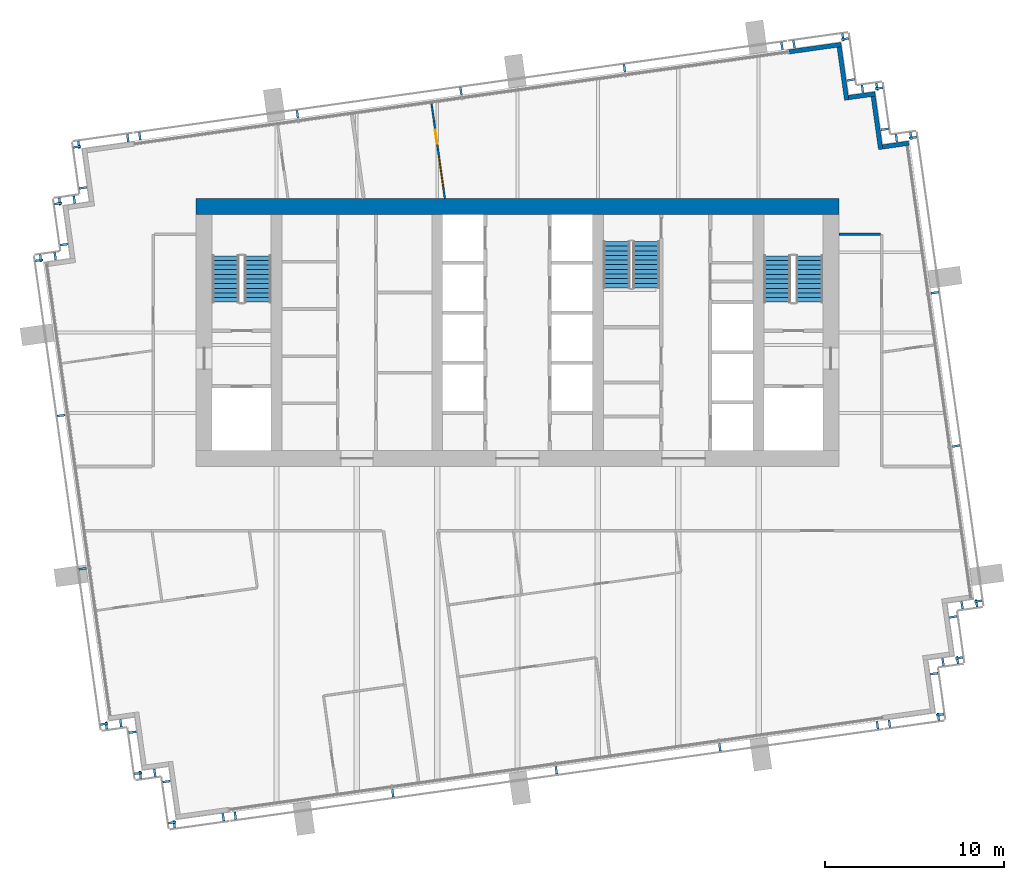
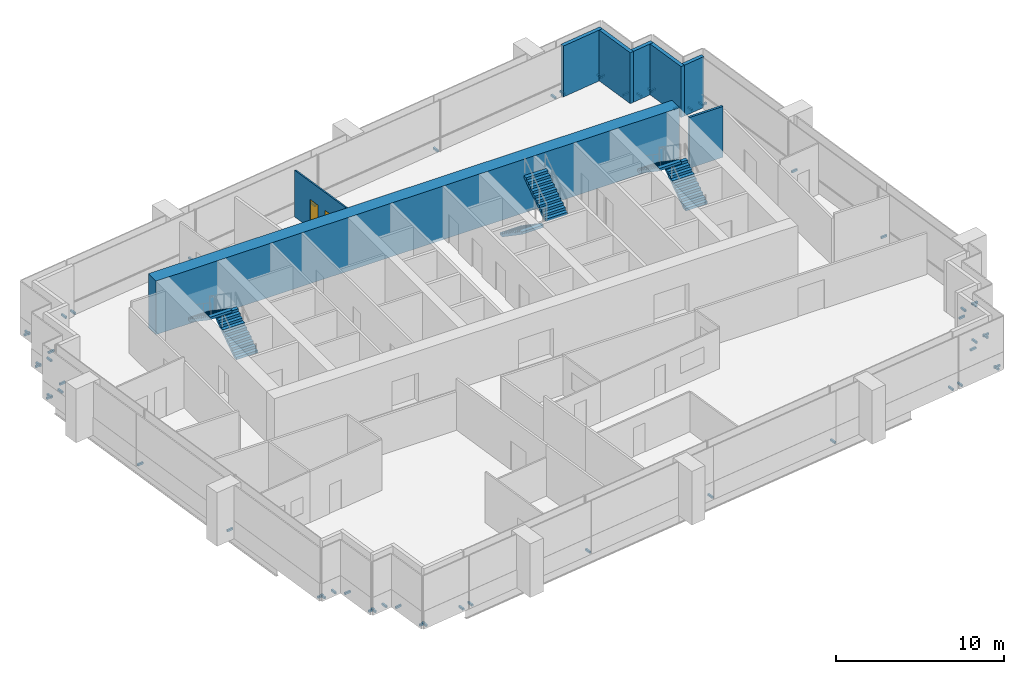
# One storey, part 11 of 15: 58 discrete accessories, 8 walls, 6 stair flights, 1 door, 1 window, 2 openings, 3 elements without a shape of their own.
"""IFC4 building model written with IfcOpenShell, lengths in metres."""

import ifcopenshell
import ifcopenshell.guid

model = None  # the IFC model being written
_history = None  # IfcOwnerHistory: only IFC2X3 demands one
_inside = {}  # id of a spatial element -> (the spatial element, [elements in it])
_under = {}  # id of a project, library or spatial element -> (it, [spatial elements below it])
_declared = {}  # id of a project -> (the project, [libraries it declares])
_typed = {}  # id of a type object -> (the type object, [elements of that type])
_made_of = {}  # id of a material, layer set ... -> (it, [elements and type objects made of it])


def new_model(schema):
    """Start an empty IFC model of exactly this schema.

    Asked for "IFC4X3", IfcOpenShell would pick the latest addendum, in which some entities
    have other attributes; the version numbers below select the first issue.
    IFC2X3 requires an IfcOwnerHistory on every rooted entity: one is made here for all.
    """
    global model, _history
    if schema == "IFC4X3":
        model = ifcopenshell.file(schema_version=(4, 3, 0, 0))
    else:
        model = ifcopenshell.file(schema=schema)
    _inside.clear()
    _under.clear()
    _declared.clear()
    _typed.clear()
    _made_of.clear()
    _history = None
    if model.schema == "IFC2X3":
        org = make("IfcOrganization", Name="unknown")
        user = make(
            "IfcPersonAndOrganization",
            ThePerson=make("IfcPerson", FamilyName="unknown"),
            TheOrganization=org,
        )
        app = make(
            "IfcApplication",
            ApplicationDeveloper=org,
            Version="unknown",
            ApplicationFullName="unknown",
            ApplicationIdentifier="unknown",
        )
        _history = make(
            "IfcOwnerHistory",
            OwningUser=user,
            OwningApplication=app,
            ChangeAction="ADDED",
            CreationDate=0,
        )
    return model


def make(cls, **values):
    """One entity of the class cls with the attributes given. An attribute that is None is left unset."""
    return model.create_entity(
        cls, **{name: value for name, value in values.items() if value is not None}
    )


def rooted(cls, **values):
    """An entity with a GlobalId (a new one), such as an element, a storey or a relation."""
    return make(cls, GlobalId=ifcopenshell.guid.new(), OwnerHistory=_history, **values)


def si_unit(unit_type, name, prefix=None):
    """IfcSIUnit, for example si_unit("LENGTHUNIT", "METRE", prefix="MILLI")."""
    return make("IfcSIUnit", UnitType=unit_type, Prefix=prefix, Name=name)


def assignment(units):
    """IfcUnitAssignment: the units of a project."""
    return None if units is None else make("IfcUnitAssignment", Units=units)


def point(xyz):
    """IfcCartesianPoint."""
    return None if xyz is None else make("IfcCartesianPoint", Coordinates=xyz)


def direction(xyz):
    """IfcDirection."""
    return None if xyz is None else make("IfcDirection", DirectionRatios=xyz)


def frame(location, z_axis=None, x_axis=None):
    """IfcAxis2Placement3D, a coordinate frame: its origin and axes. An axis left out is left unset."""
    return make(
        "IfcAxis2Placement3D",
        Location=point(location),
        Axis=direction(z_axis),
        RefDirection=direction(x_axis),
    )


def frame_2d(location, x_axis=None):
    """IfcAxis2Placement2D, a coordinate frame in the plane: its origin and x axis."""
    return make(
        "IfcAxis2Placement2D", Location=point(location), RefDirection=direction(x_axis)
    )


def origin():
    """The frame at (0, 0, 0) with its axes left unset."""
    return frame((0.0, 0.0, 0.0))


def origin_2d():
    """The frame at (0, 0) in the plane with its x axis left unset."""
    return frame_2d((0.0, 0.0))


def place(relative_to, where):
    """IfcLocalPlacement: puts the frame where relative to a parent placement (None: the world)."""
    return make(
        "IfcLocalPlacement", PlacementRelTo=relative_to, RelativePlacement=where
    )


def context(
    kind, dimensions, precision=None, world=None, true_north=None, identifier=None
):
    """IfcGeometricRepresentationContext, for example the 3D "Model" context."""
    return make(
        "IfcGeometricRepresentationContext",
        ContextIdentifier=identifier,
        ContextType=kind,
        CoordinateSpaceDimension=dimensions,
        Precision=precision,
        WorldCoordinateSystem=world,
        TrueNorth=true_north,
    )


def subcontext(parent, identifier, kind, view, scale=None):
    """IfcGeometricRepresentationSubContext, for example "Body" below "Model"."""
    return make(
        "IfcGeometricRepresentationSubContext",
        ContextIdentifier=identifier,
        ContextType=kind,
        ParentContext=parent,
        TargetScale=scale,
        TargetView=view,
    )


def project(units=None, contexts=None):
    """IfcProject with its units and contexts."""
    return rooted(
        "IfcProject",
        Name="project",
        RepresentationContexts=contexts,
        UnitsInContext=assignment(units),
    )


def spatial(cls, under=None, at=None, **own):
    """A site, building, storey or space (cls), placed at a placement, below another one or the project."""
    s = rooted(cls, ObjectPlacement=at, **own)
    if under is not None:
        _under.setdefault(under.id(), (under, []))[1].append(s)
    return s


def polyline(points):
    """IfcPolyline through the points."""
    return make("IfcPolyline", Points=[point(p) for p in points])


def profile(cls, at=None, kind="AREA", **sizes):
    """A parametric profile (cls). Its sizes go by their IFC names, for example OverallWidth=200.0."""
    return make(cls, ProfileType=kind, Position=at, **sizes)


def rectangle(**sizes):
    """IfcRectangleProfileDef."""
    return profile("IfcRectangleProfileDef", **sizes)


def outline(outer, holes=None, kind="AREA"):
    """IfcArbitraryClosedProfileDef: a profile drawn as a closed curve; with holes, ...WithVoids."""
    if holes is None:
        return make("IfcArbitraryClosedProfileDef", ProfileType=kind, OuterCurve=outer)
    return make(
        "IfcArbitraryProfileDefWithVoids",
        ProfileType=kind,
        OuterCurve=outer,
        InnerCurves=holes,
    )


def extrude(swept, where, along, depth):
    """IfcExtrudedAreaSolid: the profile swept, set in the frame where, extruded along a direction by depth."""
    return make(
        "IfcExtrudedAreaSolid",
        SweptArea=swept,
        Position=where,
        ExtrudedDirection=direction(along),
        Depth=depth,
    )


def shape(context_of_items, identifier, shape_type, items):
    """IfcShapeRepresentation: the items that make up one representation, for example the "Body"."""
    return make(
        "IfcShapeRepresentation",
        ContextOfItems=context_of_items,
        RepresentationIdentifier=identifier,
        RepresentationType=shape_type,
        Items=items,
    )


def material(Name=None, Category=None):
    """IfcMaterial."""
    return make("IfcMaterial", Name=Name, Category=Category)


def layer(
    of_material, thickness, ventilated=None, Name=None, Category=None, Priority=None
):
    """IfcMaterialLayer: one layer of a wall or slab, of a material (None: an air gap)."""
    return make(
        "IfcMaterialLayer",
        Material=of_material,
        LayerThickness=thickness,
        IsVentilated=ventilated,
        Name=Name,
        Category=Category,
        Priority=Priority,
    )


def layer_set(layers, Name=None):
    """IfcMaterialLayerSet."""
    return make("IfcMaterialLayerSet", MaterialLayers=layers, LayerSetName=Name)


def made_of(thing, what):
    """Note that an element or type object is made of a material, layer set ...; save() writes the relation."""
    if what is not None:
        _made_of.setdefault(what.id(), (what, []))[1].append(thing)
    return thing


def type_object(cls, material=None, **own):
    """A type object (cls), such as IfcWallType, which elements share."""
    return made_of(rooted(cls, **own), material)


def element(
    cls,
    number,
    at=None,
    inside=None,
    cuts=None,
    type_object=None,
    material=None,
    context=None,
    identifier="Body",
    shape_type=None,
    held_by="IfcProductDefinitionShape",
    body=None,
    shapes=None,
    **own,
):
    """One element of the class cls, such as IfcWall. Its Tag is "e" and its number.

    at: its placement. inside: the storey or other place that contains it. cuts: it is an
    opening in that element (IfcRelVoidsElement). A single representation is given by context,
    identifier, shape_type and body (its items); several are given by shapes. held_by: the class
    of the entity that holds the representations. save() writes the other relations.
    """
    e = rooted(cls, Tag="e%d" % number, ObjectPlacement=at, **own)
    if body is not None:
        shapes = [shape(context, identifier, shape_type, body)]
    if shapes is not None:
        e.Representation = make(held_by, Representations=shapes)
    if inside is not None:
        _inside.setdefault(inside.id(), (inside, []))[1].append(e)
    if cuts is not None:
        rooted(
            "IfcRelVoidsElement", RelatingBuildingElement=cuts, RelatedOpeningElement=e
        )
    if type_object is not None:
        _typed.setdefault(type_object.id(), (type_object, []))[1].append(e)
    return made_of(e, material)


def fill(opening, filler):
    """IfcRelFillsElement: the door or window that sits in an opening."""
    return rooted(
        "IfcRelFillsElement",
        RelatingOpeningElement=opening,
        RelatedBuildingElement=filler,
    )


def aggregate(whole, parts):
    """IfcRelAggregates: a whole, such as a stair, and the parts it consists of."""
    return rooted("IfcRelAggregates", RelatingObject=whole, RelatedObjects=parts)


def save(model, path):
    """Write the relations noted so far, then the file.

    IfcRelAggregates (storeys below a building ...), IfcRelContainedInSpatialStructure (elements
    in a storey), IfcRelDefinesByType, IfcRelAssociatesMaterial and IfcRelDeclares: one each for
    every whole, place, type object, material and project.
    """
    for whole, parts in _under.values():
        aggregate(whole, parts)
    for where, things in _inside.values():
        rooted(
            "IfcRelContainedInSpatialStructure",
            RelatedElements=things,
            RelatingStructure=where,
        )
    for kind, things in _typed.values():
        rooted("IfcRelDefinesByType", RelatedObjects=things, RelatingType=kind)
    for what, things in _made_of.values():
        rooted("IfcRelAssociatesMaterial", RelatedObjects=things, RelatingMaterial=what)
    for by, libraries in _declared.values():
        rooted("IfcRelDeclares", RelatingContext=by, RelatedDefinitions=libraries)
    model.write(path)


model = new_model("IFC4")

# Units and contexts
model_context = context("Model", 3, precision=1e-05, world=origin(), true_north=direction((0.0, 1.0)))
body_context = subcontext(model_context, "Body", "Model", "MODEL_VIEW")
ifc_project = project(units=[si_unit("LENGTHUNIT", "METRE"), si_unit("AREAUNIT", "SQUARE_METRE"), si_unit("VOLUMEUNIT", "CUBIC_METRE"), si_unit("PLANEANGLEUNIT", "RADIAN"), si_unit("MASSUNIT", "GRAM", prefix="KILO")], contexts=[model_context])

# Site, building, storey
site_placement = place(None, origin())
site = spatial("IfcSite", under=ifc_project, at=site_placement, CompositionType="ELEMENT")
building_placement = place(site_placement, origin())
building = spatial("IfcBuilding", under=site, at=building_placement, Name="Rattan Terrace Tower", CompositionType="ELEMENT")
storey_placement = place(building_placement, frame((0.0, 0.0, 262.89990234375)))
storey = spatial("IfcBuildingStorey", under=building, at=storey_placement, Name="L60", CompositionType="ELEMENT", Elevation=262.89990234375)

# Walls
ifc_material_1 = material(Name="Concrete C50/60", Category="concrete")
ifc_layer_1 = layer(ifc_material_1, 0.89990234375)
ifc_layer_set_1 = layer_set([ifc_layer_1], Name="Core ring wall 900 C50/60")
wall_type_1 = type_object("IfcWallType", Name="Core ring wall 900 C50/60", PredefinedType="SHEAR", material=ifc_layer_set_1)
wall_1_placement = place(storey_placement, frame((-18.0, 7.050048828125, -0.199951171875), z_axis=(0.0, 0.0, 1.0), x_axis=(1.0, 0.0, 0.0)))
element("IfcWall", 1, at=wall_1_placement, inside=storey, type_object=wall_type_1, Name="Rear core wall north", PredefinedType="SHEAR", context=body_context, shape_type="SweptSolid", body=[
    extrude(rectangle(XDim=36.0, YDim=0.89990234375, at=frame_2d((18.0, 0.0))), origin(), (0.0, 0.0, 1.0), 3.900146484375),
])
ifc_material_2 = material(Name="Insulated aluminium-clad stud wall", Category="aluminium")
ifc_layer_2 = layer(ifc_material_2, 0.25)
ifc_layer_set_2 = layer_set([ifc_layer_2], Name="Facade Riser Wall 250")
wall_type_2 = type_object("IfcWallType", Name="Facade Riser Wall 250", PredefinedType="SOLIDWALL", material=ifc_layer_set_2)
wall_2_placement = place(storey_placement, frame((21.90625, 10.60498046875, 0.0), z_axis=(0.0, 0.0, 1.0), x_axis=(-0.990235520307, -0.13940449893, 0.0)))
element("IfcWall", 2, at=wall_2_placement, inside=storey, type_object=wall_type_2, Name="Riser wall L60-6", PredefinedType="SOLIDWALL", context=body_context, shape_type="SweptSolid", body=[
    extrude(rectangle(XDim=1.474609375, YDim=0.25, at=frame_2d((0.7373046875, 0.0))), origin(), (0.0, 0.0, 1.0), 3.7001953125),
])
wall_3_placement = place(storey_placement, frame((20.33984375, 10.25830078125, 0.0), z_axis=(0.0, 0.0, 1.0), x_axis=(-0.139393225799, 0.990237107263, 0.0)))
element("IfcWall", 3, at=wall_3_placement, inside=storey, type_object=wall_type_2, Name="Riser wall L60-7", PredefinedType="SOLIDWALL", context=body_context, shape_type="SweptSolid", body=[
    extrude(rectangle(XDim=3.000244140625, YDim=0.25, at=frame_2d((1.5, 0.0))), origin(), (0.0, 0.0, 1.0), 3.7001953125),
])
wall_4_placement = place(storey_placement, frame((20.028076171875, 13.370361328125, 0.0), z_axis=(0.0, 0.0, 1.0), x_axis=(-0.990330117064, -0.138730887823, 0.0)))
element("IfcWall", 4, at=wall_4_placement, inside=storey, type_object=wall_type_2, Name="Riser wall L60-8", PredefinedType="SOLIDWALL", context=body_context, shape_type="SweptSolid", body=[
    extrude(rectangle(XDim=1.499267578125, YDim=0.25, at=frame_2d((0.74951171875, 0.0))), origin(), (0.0, 0.0, 1.0), 3.7001953125),
])
wall_5_placement = place(storey_placement, frame((18.436767578125, 13.021240234375, 0.0), z_axis=(0.0, 0.0, 1.0), x_axis=(-0.139358350296, 0.990242015975, 0.0)))
element("IfcWall", 5, at=wall_5_placement, inside=storey, type_object=wall_type_2, Name="Riser wall L60-9", PredefinedType="SOLIDWALL", context=body_context, shape_type="SweptSolid", body=[
    extrude(rectangle(XDim=2.999267578125, YDim=0.25, at=frame_2d((1.49951171875, 0.0))), origin(), (0.0, 0.0, 1.0), 3.7001953125),
])
wall_6_placement = place(storey_placement, frame((18.125244140625, 16.13232421875, 0.0), z_axis=(0.0, 0.0, 1.0), x_axis=(-0.990291981483, -0.139002846771, 0.0)))
element("IfcWall", 6, at=wall_6_placement, inside=storey, type_object=wall_type_2, Name="Riser wall L60-10", PredefinedType="SOLIDWALL", context=body_context, shape_type="SweptSolid", body=[
    extrude(rectangle(XDim=2.9541015625, YDim=0.25, at=frame_2d((1.47705078125, 0.0))), origin(), (0.0, 0.0, 1.0), 3.7001953125),
])

# Wall, openings, door, window
ifc_material_3 = material(Name="Gypsum board partition on steel studs", Category="steel")
ifc_layer_3 = layer(ifc_material_3, 0.10009765625)
ifc_layer_set_3 = layer_set([ifc_layer_3], Name="Floors Partition 100")
wall_type_3 = type_object("IfcWallType", Name="Floors Partition 100", PredefinedType="PARTITIONING", material=ifc_layer_set_3)
wall_7_placement = place(storey_placement, frame((-4.070068359375, 7.5, 0.0), z_axis=(0.0, 0.0, 1.0), x_axis=(-0.139122430522, 0.990275188685, 0.0)))
wall_7 = element("IfcWall", 7, at=wall_7_placement, inside=storey, type_object=wall_type_3, Name="pt-L60-036", PredefinedType="PARTITIONING", context=body_context, shape_type="SweptSolid", body=[
    extrude(rectangle(XDim=5.3681640625, YDim=0.10009765625, at=frame_2d((2.68408203125, 0.0))), origin(), (0.0, 0.0, 1.0), 3.400146484375),
])
opening_1_placement = place(wall_7_placement, frame((3.097900390625, 0.0, 0.0)))
opening_1 = element("IfcOpeningElement", 8, at=opening_1_placement, cuts=wall_7, Name="Opening L60-D113", PredefinedType="OPENING", context=body_context, shape_type="SweptSolid", body=[
    extrude(rectangle(XDim=0.800048828125, YDim=2.10009765625, at=frame_2d((0.39990234375, 1.050048828125))), frame((0.0, 0.060546875, 0.0), z_axis=(0.0, -1.0, 0.0), x_axis=(1.0, 0.0, 0.0)), (0.0, 0.0, 1.0), 0.12109375),
])
opening_2_placement = place(wall_7_placement, frame((0.64892578125, 0.0, 0.89990234375)))
opening_2 = element("IfcOpeningElement", 9, at=opening_2_placement, cuts=wall_7, Name="Opening L60-W105", PredefinedType="OPENING", context=body_context, shape_type="SweptSolid", body=[
    extrude(rectangle(XDim=1.800048828125, YDim=1.199951171875, at=frame_2d((0.89990234375, 0.60009765625))), frame((0.0, 0.060546875, 0.0), z_axis=(0.0, -1.0, 0.0), x_axis=(1.0, 0.0, 0.0)), (0.0, 0.0, 1.0), 0.12109375),
])
ifc_material_4 = material(Name="Solid core timber door, painted", Category="wood")
door_type = type_object("IfcDoorType", Name="Floors Store Door 800x2100", OperationType="NOTDEFINED", PredefinedType="DOOR", material=ifc_material_4)
door_placement = place(opening_1_placement, origin())
door = element("IfcDoor", 10, at=door_placement, inside=storey, type_object=door_type, Name="d-L60-113", OperationType="SINGLE_SWING_RIGHT", OverallHeight=2.10009765625, OverallWidth=0.800048828125, PredefinedType="DOOR", context=body_context, shape_type="SweptSolid", body=[
    extrude(rectangle(XDim=0.800048828125, YDim=2.10009765625, at=frame_2d((0.39990234375, 1.050048828125))), frame((0.0, 0.02490234375, 0.0), z_axis=(0.0, -1.0, 0.0), x_axis=(1.0, 0.0, 0.0)), (0.0, 0.0, 1.0), 0.050048828125),
])
fill(opening_1, door)
ifc_material_5 = material(Name="Glass, clear, fixed in aluminium frame", Category="aluminium")
window_type = type_object("IfcWindowType", Name="Interior Vision Window 1800x1200", PartitioningType="SINGLE_PANEL", PredefinedType="WINDOW", material=ifc_material_5)
window_placement = place(opening_2_placement, origin())
window = element("IfcWindow", 11, at=window_placement, inside=storey, type_object=window_type, Name="w-L60-105", OverallHeight=1.199951171875, OverallWidth=1.800048828125, PartitioningType="SINGLE_PANEL", PredefinedType="WINDOW", context=body_context, shape_type="SweptSolid", body=[
    extrude(rectangle(XDim=1.800048828125, YDim=1.199951171875, at=frame_2d((0.89990234375, 0.60009765625))), frame((0.0, 0.030029296875, 0.0), z_axis=(0.0, -1.0, 0.0), x_axis=(1.0, 0.0, 0.0)), (0.0, 0.0, 1.0), 0.06005859375),
])
fill(opening_2, window)

# Wall
ifc_material_6 = material(Name="Gypsum board partition on steel studs, fire rated", Category="steel")
ifc_layer_4 = layer(ifc_material_6, 0.14990234375)
ifc_layer_set_4 = layer_set([ifc_layer_4], Name="Floors Tenancy Wall 150")
wall_type_4 = type_object("IfcWallType", Name="Floors Tenancy Wall 150", PredefinedType="PARTITIONING", material=ifc_layer_set_4)
wall_8_placement = place(storey_placement, frame((18.0, 5.5009765625, 0.0), z_axis=(0.0, 0.0, 1.0), x_axis=(1.0, 0.0, 0.0)))
element("IfcWall", 12, at=wall_8_placement, inside=storey, type_object=wall_type_4, Name="pt-L60-016", PredefinedType="PARTITIONING", context=body_context, shape_type="SweptSolid", body=[
    extrude(rectangle(XDim=2.324951171875, YDim=0.14990234375, at=frame_2d((1.16259765625, 0.0))), origin(), (0.0, 0.0, 1.0), 3.7001953125),
])

# Stair, stair flights
ifc_material_7 = material(Name="Concrete C40/50", Category="concrete")
stair_type = type_object("IfcStairType", Name="Core exit stair 1500", PredefinedType="HALF_TURN_STAIR", material=ifc_material_7)
stair_1_placement = place(storey_placement, origin())
stair_1 = element("IfcStair", 13, at=stair_1_placement, inside=storey, type_object=stair_type, Name="L60 exit stair 1", PredefinedType="HALF_TURN_STAIR")
ifc_material_8 = material(Name="Concrete C40/50", Category="concrete")
stair_flight_type = type_object("IfcStairFlightType", Name="Core exit stair flight 1500", PredefinedType="STRAIGHT", material=ifc_material_8)
stair_flight_1_placement = place(storey_placement, frame((-14.550048828125, 1.699951171875, 0.0), z_axis=(0.0, 0.0, 1.0), x_axis=(0.0, 1.0, 0.0)))
stair_flight_1 = element("IfcStairFlight", 14, at=stair_flight_1_placement, type_object=stair_flight_type, Name="S1 flight 1", NumberOfRisers=11, NumberOfTreads=10, PredefinedType="STRAIGHT", RiserHeight=0.177272727, TreadLength=0.26, context=body_context, shape_type="SweptSolid", body=[
    extrude(outline(polyline([(0.0, 0.0), (0.0, 0.17724609375), (0.260009765625, 0.17724609375), (0.260009765625, 0.3544921875), (0.52001953125, 0.3544921875), (0.52001953125, 0.53173828125), (0.780029296875, 0.53173828125), (0.780029296875, 0.708984375), (1.0400390625, 0.708984375), (1.0400390625, 0.886474609375), (1.300048828125, 0.886474609375), (1.300048828125, 1.063720703125), (1.56005859375, 1.063720703125), (1.56005859375, 1.240966796875), (1.820068359375, 1.240966796875), (1.820068359375, 1.418212890625), (2.080078125, 1.418212890625), (2.080078125, 1.595458984375), (2.340087890625, 1.595458984375), (2.340087890625, 1.772705078125), (2.60009765625, 1.772705078125), (2.60009765625, 1.949951171875), (2.60009765625, 1.59130859375), (0.26611328125, 0.0), (0.0, 0.0)])), frame((0.0, 0.75, 0.0), z_axis=(0.0, -1.0, 0.0), x_axis=(1.0, 0.0, 0.0)), (0.0, 0.0, 1.0), 1.5),
])
stair_flight_2_placement = place(storey_placement, frame((-16.35009765625, 4.300048828125, 1.9501953125), z_axis=(0.0, 0.0, 1.0), x_axis=(0.0, -1.0, 0.0)))
stair_flight_2 = element("IfcStairFlight", 15, at=stair_flight_2_placement, type_object=stair_flight_type, Name="S1 flight 2", NumberOfRisers=11, NumberOfTreads=10, PredefinedType="STRAIGHT", RiserHeight=0.177272727, TreadLength=0.26, context=body_context, shape_type="SweptSolid", body=[
    extrude(outline(polyline([(0.0, 0.0), (0.0, 0.17724609375), (0.260009765625, 0.17724609375), (0.260009765625, 0.3544921875), (0.52001953125, 0.3544921875), (0.52001953125, 0.53173828125), (0.780029296875, 0.53173828125), (0.780029296875, 0.708984375), (1.0400390625, 0.708984375), (1.0400390625, 0.886474609375), (1.300048828125, 0.886474609375), (1.300048828125, 1.063720703125), (1.56005859375, 1.063720703125), (1.56005859375, 1.240966796875), (1.820068359375, 1.240966796875), (1.820068359375, 1.418212890625), (2.080078125, 1.418212890625), (2.080078125, 1.595458984375), (2.340087890625, 1.595458984375), (2.340087890625, 1.772705078125), (2.60009765625, 1.772705078125), (2.60009765625, 1.949951171875), (2.60009765625, 1.59130859375), (0.26611328125, 0.0), (0.0, 0.0)])), frame((0.0, 0.75, 0.0), z_axis=(0.0, -1.0, 0.0), x_axis=(1.0, 0.0, 0.0)), (0.0, 0.0, 1.0), 1.5),
])
aggregate(stair_1, [stair_flight_1, stair_flight_2])

stair_2_placement = place(storey_placement, origin())
stair_2 = element("IfcStair", 16, at=stair_2_placement, inside=storey, type_object=stair_type, Name="L60 exit stair 2", PredefinedType="HALF_TURN_STAIR")
stair_flight_3_placement = place(storey_placement, frame((16.35009765625, 1.699951171875, 0.0), z_axis=(0.0, 0.0, 1.0), x_axis=(0.0, 1.0, 0.0)))
stair_flight_3 = element("IfcStairFlight", 17, at=stair_flight_3_placement, type_object=stair_flight_type, Name="S2 flight 1", NumberOfRisers=11, NumberOfTreads=10, PredefinedType="STRAIGHT", RiserHeight=0.177272727, TreadLength=0.26, context=body_context, shape_type="SweptSolid", body=[
    extrude(outline(polyline([(0.0, 0.0), (0.0, 0.17724609375), (0.260009765625, 0.17724609375), (0.260009765625, 0.3544921875), (0.52001953125, 0.3544921875), (0.52001953125, 0.53173828125), (0.780029296875, 0.53173828125), (0.780029296875, 0.708984375), (1.0400390625, 0.708984375), (1.0400390625, 0.886474609375), (1.300048828125, 0.886474609375), (1.300048828125, 1.063720703125), (1.56005859375, 1.063720703125), (1.56005859375, 1.240966796875), (1.820068359375, 1.240966796875), (1.820068359375, 1.418212890625), (2.080078125, 1.418212890625), (2.080078125, 1.595458984375), (2.340087890625, 1.595458984375), (2.340087890625, 1.772705078125), (2.60009765625, 1.772705078125), (2.60009765625, 1.949951171875), (2.60009765625, 1.59130859375), (0.26611328125, 0.0), (0.0, 0.0)])), frame((0.0, 0.75, 0.0), z_axis=(0.0, -1.0, 0.0), x_axis=(1.0, 0.0, 0.0)), (0.0, 0.0, 1.0), 1.5),
])
stair_flight_4_placement = place(storey_placement, frame((14.550048828125, 4.300048828125, 1.9501953125), z_axis=(0.0, 0.0, 1.0), x_axis=(0.0, -1.0, 0.0)))
stair_flight_4 = element("IfcStairFlight", 18, at=stair_flight_4_placement, type_object=stair_flight_type, Name="S2 flight 2", NumberOfRisers=11, NumberOfTreads=10, PredefinedType="STRAIGHT", RiserHeight=0.177272727, TreadLength=0.26, context=body_context, shape_type="SweptSolid", body=[
    extrude(outline(polyline([(0.0, 0.0), (0.0, 0.17724609375), (0.260009765625, 0.17724609375), (0.260009765625, 0.3544921875), (0.52001953125, 0.3544921875), (0.52001953125, 0.53173828125), (0.780029296875, 0.53173828125), (0.780029296875, 0.708984375), (1.0400390625, 0.708984375), (1.0400390625, 0.886474609375), (1.300048828125, 0.886474609375), (1.300048828125, 1.063720703125), (1.56005859375, 1.063720703125), (1.56005859375, 1.240966796875), (1.820068359375, 1.240966796875), (1.820068359375, 1.418212890625), (2.080078125, 1.418212890625), (2.080078125, 1.595458984375), (2.340087890625, 1.595458984375), (2.340087890625, 1.772705078125), (2.60009765625, 1.772705078125), (2.60009765625, 1.949951171875), (2.60009765625, 1.59130859375), (0.26611328125, 0.0), (0.0, 0.0)])), frame((0.0, 0.75, 0.0), z_axis=(0.0, -1.0, 0.0), x_axis=(1.0, 0.0, 0.0)), (0.0, 0.0, 1.0), 1.5),
])
aggregate(stair_2, [stair_flight_3, stair_flight_4])

stair_3_placement = place(storey_placement, origin())
stair_3 = element("IfcStair", 19, at=stair_3_placement, inside=storey, type_object=stair_type, Name="L60 exit stair 3", PredefinedType="HALF_TURN_STAIR")
stair_flight_5_placement = place(storey_placement, frame((5.550048828125, 5.10009765625, 0.0), z_axis=(0.0, 0.0, 1.0), x_axis=(0.0, -1.0, 0.0)))
stair_flight_5 = element("IfcStairFlight", 20, at=stair_flight_5_placement, type_object=stair_flight_type, Name="S3 flight 1", NumberOfRisers=11, NumberOfTreads=10, PredefinedType="STRAIGHT", RiserHeight=0.177272727, TreadLength=0.26, context=body_context, shape_type="SweptSolid", body=[
    extrude(outline(polyline([(0.0, 0.0), (0.0, 0.17724609375), (0.260009765625, 0.17724609375), (0.260009765625, 0.3544921875), (0.52001953125, 0.3544921875), (0.52001953125, 0.53173828125), (0.780029296875, 0.53173828125), (0.780029296875, 0.708984375), (1.0400390625, 0.708984375), (1.0400390625, 0.886474609375), (1.300048828125, 0.886474609375), (1.300048828125, 1.063720703125), (1.56005859375, 1.063720703125), (1.56005859375, 1.240966796875), (1.820068359375, 1.240966796875), (1.820068359375, 1.418212890625), (2.080078125, 1.418212890625), (2.080078125, 1.595458984375), (2.340087890625, 1.595458984375), (2.340087890625, 1.772705078125), (2.60009765625, 1.772705078125), (2.60009765625, 1.949951171875), (2.60009765625, 1.59130859375), (0.26611328125, 0.0), (0.0, 0.0)])), frame((0.0, 0.75, 0.0), z_axis=(0.0, -1.0, 0.0), x_axis=(1.0, 0.0, 0.0)), (0.0, 0.0, 1.0), 1.5),
])
stair_flight_6_placement = place(storey_placement, frame((7.199951171875, 2.5, 1.9501953125), z_axis=(0.0, 0.0, 1.0), x_axis=(0.0, 1.0, 0.0)))
stair_flight_6 = element("IfcStairFlight", 21, at=stair_flight_6_placement, type_object=stair_flight_type, Name="S3 flight 2", NumberOfRisers=11, NumberOfTreads=10, PredefinedType="STRAIGHT", RiserHeight=0.177272727, TreadLength=0.26, context=body_context, shape_type="SweptSolid", body=[
    extrude(outline(polyline([(0.0, 0.0), (0.0, 0.17724609375), (0.260009765625, 0.17724609375), (0.260009765625, 0.3544921875), (0.52001953125, 0.3544921875), (0.52001953125, 0.53173828125), (0.780029296875, 0.53173828125), (0.780029296875, 0.708984375), (1.0400390625, 0.708984375), (1.0400390625, 0.886474609375), (1.300048828125, 0.886474609375), (1.300048828125, 1.063720703125), (1.56005859375, 1.063720703125), (1.56005859375, 1.240966796875), (1.820068359375, 1.240966796875), (1.820068359375, 1.418212890625), (2.080078125, 1.418212890625), (2.080078125, 1.595458984375), (2.340087890625, 1.595458984375), (2.340087890625, 1.772705078125), (2.60009765625, 1.772705078125), (2.60009765625, 1.949951171875), (2.60009765625, 1.59130859375), (0.26611328125, 0.0), (0.0, 0.0)])), frame((0.0, 0.75, 0.0), z_axis=(0.0, -1.0, 0.0), x_axis=(1.0, 0.0, 0.0)), (0.0, 0.0, 1.0), 1.5),
])
aggregate(stair_3, [stair_flight_5, stair_flight_6])

# Discrete accessories
for number, where, z_axis, x_axis, name in (
    (22, (20.829833984375, -21.900634765625, -0.169921875), (0.0, 0.0, 1.0), (0.990293172258, 0.138994363123, 0.0), "Panel bracket L60-1"),
    (23, (23.5732421875, -21.515625, -0.169921875), (0.0, 0.0, 1.0), (0.990293172258, 0.138994363123, 0.0), "Panel bracket L60-2"),
    (24, (23.658203125, -21.40283203125, -0.169921875), (0.0, 0.0, 1.0), (-0.138994363123, 0.990293172258, 0.0), "Panel bracket L60-3"),
    (25, (23.335693359375, -19.10498046875, -0.169921875), (0.0, 0.0, 1.0), (-0.138994363123, 0.990293172258, 0.0), "Panel bracket L60-4"),
    (26, (23.829345703125, -18.449951171875, -0.169921875), (0.0, 0.0, 1.0), (0.990240767803, 0.139367219175, 0.0), "Panel bracket L60-5"),
    (27, (24.64111328125, -18.335693359375, -0.169921875), (0.0, 0.0, 1.0), (0.990240767803, 0.139367219175, 0.0), "Panel bracket L60-6"),
    (28, (24.726318359375, -18.22265625, -0.169921875), (0.0, 0.0, 1.0), (-0.139367219175, 0.990240767803, 0.0), "Panel bracket L60-7"),
    (29, (24.403076171875, -15.926025390625, -0.169921875), (0.0, 0.0, 1.0), (-0.139367219175, 0.990240767803, 0.0), "Panel bracket L60-8"),
    (30, (24.896484375, -15.27099609375, -0.169921875), (0.0, 0.0, 1.0), (0.99025370695, 0.139275252184, 0.0), "Panel bracket L60-9"),
    (31, (25.708984375, -15.15673828125, -0.169921875), (0.0, 0.0, 1.0), (0.99025370695, 0.139275252184, 0.0), "Panel bracket L60-10"),
    (32, (25.794189453125, -15.043701171875, -0.169921875), (0.0, 0.0, 1.0), (-0.139191775431, 0.990265444036, 0.0), "Panel bracket L60-11"),
    (33, (24.572509765625, -6.35205078125, -0.169921875), (0.0, 0.0, 1.0), (-0.139191775431, 0.990265444036, 0.0), "Panel bracket L60-12"),
    (34, (23.3662109375, 2.23046875, -0.169921875), (0.0, 0.0, 1.0), (-0.139191775431, 0.990265444036, 0.0), "Panel bracket L60-13"),
    (35, (22.14453125, 10.921142578125, -0.169921875), (0.0, 0.0, 1.0), (-0.139191775431, 0.990265444036, 0.0), "Panel bracket L60-14"),
    (36, (22.03173828125, 11.00634765625, -0.169921875), (0.0, 0.0, 1.0), (-0.990240767803, -0.139367219175, 0.0), "Panel bracket L60-15"),
    (37, (21.219970703125, 10.89208984375, -0.169921875), (0.0, 0.0, 1.0), (-0.990240767803, -0.139367219175, 0.0), "Panel bracket L60-16"),
    (38, (20.56494140625, 11.385498046875, -0.169921875), (0.0, 0.0, 1.0), (-0.139321220646, 0.990247240581, 0.0), "Panel bracket L60-17"),
    (39, (20.24169921875, 13.682861328125, -0.169921875), (0.0, 0.0, 1.0), (-0.139321220646, 0.990247240581, 0.0), "Panel bracket L60-18"),
    (40, (20.12841796875, 13.768310546875, -0.169921875), (0.0, 0.0, 1.0), (-0.990332587523, -0.138713251317, 0.0), "Panel bracket L60-19"),
    (41, (19.31689453125, 13.654541015625, -0.169921875), (0.0, 0.0, 1.0), (-0.990332587523, -0.138713251317, 0.0), "Panel bracket L60-20"),
    (42, (18.661865234375, 14.148193359375, -0.169921875), (0.0, 0.0, 1.0), (-0.139367219175, 0.990240767803, 0.0), "Panel bracket L60-21"),
    (43, (18.338623046875, 16.445068359375, -0.169921875), (0.0, 0.0, 1.0), (-0.139367219175, 0.990240767803, 0.0), "Panel bracket L60-22"),
    (44, (18.2255859375, 16.5302734375, -0.169921875), (0.0, 0.0, 1.0), (-0.990286729519, -0.139040257974, 0.0), "Panel bracket L60-23"),
    (45, (15.4833984375, 16.145263671875, -0.169921875), (0.0, 0.0, 1.0), (-0.990286729519, -0.139040257974, 0.0), "Panel bracket L60-24"),
    (46, (14.81005859375, 16.050537109375, -0.169921875), (0.0, 0.0, 1.0), (-0.990265894013, -0.139188574079, 0.0), "Panel bracket L60-25"),
    (47, (5.98779296875, 14.810546875, -0.169921875), (0.0, 0.0, 1.0), (-0.990265894013, -0.139188574079, 0.0), "Panel bracket L60-26"),
    (48, (-3.171142578125, 13.523193359375, -0.169921875), (0.0, 0.0, 1.0), (-0.990265894013, -0.139188574079, 0.0), "Panel bracket L60-27"),
    (49, (-12.330078125, 12.23583984375, -0.169921875), (0.0, 0.0, 1.0), (-0.990265894013, -0.139188574079, 0.0), "Panel bracket L60-28"),
    (50, (-21.156494140625, 10.995361328125, -0.169921875), (0.0, 0.0, 1.0), (-0.990265894013, -0.139188574079, 0.0), "Panel bracket L60-29"),
    (51, (-21.829833984375, 10.900634765625, -0.169921875), (0.0, 0.0, 1.0), (-0.990293172258, -0.138994363123, 0.0), "Panel bracket L60-30"),
    (52, (-24.5732421875, 10.515625, -0.169921875), (0.0, 0.0, 1.0), (-0.990293172258, -0.138994363123, 0.0), "Panel bracket L60-31"),
    (53, (-24.658203125, 10.40283203125, -0.169921875), (0.0, 0.0, 1.0), (0.138994363123, -0.990293172258, 0.0), "Panel bracket L60-32"),
    (54, (-24.335693359375, 8.10498046875, -0.169921875), (0.0, 0.0, 1.0), (0.138994363123, -0.990293172258, 0.0), "Panel bracket L60-33"),
    (55, (-24.829345703125, 7.449951171875, -0.169921875), (0.0, 0.0, 1.0), (-0.990240767803, -0.139367219175, 0.0), "Panel bracket L60-34"),
    (56, (-25.64111328125, 7.335693359375, -0.169921875), (0.0, 0.0, 1.0), (-0.990240767803, -0.139367219175, 0.0), "Panel bracket L60-35"),
    (57, (-25.726318359375, 7.22265625, -0.169921875), (0.0, 0.0, 1.0), (0.139367219175, -0.990240767803, 0.0), "Panel bracket L60-36"),
    (58, (-25.403076171875, 4.926025390625, -0.169921875), (0.0, 0.0, 1.0), (0.139367219175, -0.990240767803, 0.0), "Panel bracket L60-37"),
    (59, (-25.896484375, 4.27099609375, -0.169921875), (0.0, 0.0, 1.0), (-0.99025370695, -0.139275252184, 0.0), "Panel bracket L60-38"),
    (60, (-26.708984375, 4.15673828125, -0.169921875), (0.0, 0.0, 1.0), (-0.99025370695, -0.139275252184, 0.0), "Panel bracket L60-39"),
    (61, (-26.794189453125, 4.043701171875, -0.169921875), (0.0, 0.0, 1.0), (0.139191775431, -0.990265444036, 0.0), "Panel bracket L60-40"),
    (62, (-25.572509765625, -4.64794921875, -0.169921875), (0.0, 0.0, 1.0), (0.139191775431, -0.990265444036, 0.0), "Panel bracket L60-41"),
    (63, (-24.3662109375, -13.23046875, -0.169921875), (0.0, 0.0, 1.0), (0.139191775431, -0.990265444036, 0.0), "Panel bracket L60-42"),
    (64, (-23.14453125, -21.921142578125, -0.169921875), (0.0, 0.0, 1.0), (0.139191775431, -0.990265444036, 0.0), "Panel bracket L60-43"),
    (65, (-23.03173828125, -22.00634765625, -0.169921875), (0.0, 0.0, 1.0), (0.990240767803, 0.139367219175, 0.0), "Panel bracket L60-44"),
    (66, (-22.219970703125, -21.89208984375, -0.169921875), (0.0, 0.0, 1.0), (0.990240767803, 0.139367219175, 0.0), "Panel bracket L60-45"),
    (67, (-21.56494140625, -22.385498046875, -0.169921875), (0.0, 0.0, 1.0), (0.139321220646, -0.990247240581, 0.0), "Panel bracket L60-46"),
    (68, (-21.24169921875, -24.682861328125, -0.169921875), (0.0, 0.0, 1.0), (0.139321220646, -0.990247240581, 0.0), "Panel bracket L60-47"),
    (69, (-21.12841796875, -24.768310546875, -0.169921875), (0.0, 0.0, 1.0), (0.990332587523, 0.138713251317, 0.0), "Panel bracket L60-48"),
    (70, (-20.31689453125, -24.654541015625, -0.169921875), (0.0, 0.0, 1.0), (0.990332587523, 0.138713251317, 0.0), "Panel bracket L60-49"),
    (71, (-19.661865234375, -25.148193359375, -0.169921875), (0.0, 0.0, 1.0), (0.139367219175, -0.990240767803, 0.0), "Panel bracket L60-50"),
    (72, (-19.338623046875, -27.445068359375, -0.169921875), (0.0, 0.0, 1.0), (0.139367219175, -0.990240767803, 0.0), "Panel bracket L60-51"),
    (73, (-19.2255859375, -27.5302734375, -0.169921875), (0.0, 0.0, 1.0), (0.990286729519, 0.139040257974, 0.0), "Panel bracket L60-52"),
    (74, (-16.4833984375, -27.145263671875, -0.169921875), (0.0, 0.0, 1.0), (0.990286729519, 0.139040257974, 0.0), "Panel bracket L60-53"),
    (75, (-15.81005859375, -27.050537109375, -0.169921875), (0.0, 0.0, 1.0), (0.990265894013, 0.139188574079, 0.0), "Panel bracket L60-54"),
    (76, (-6.98779296875, -25.810546875, -0.169921875), (0.0, 0.0, 1.0), (0.990265894013, 0.139188574079, 0.0), "Panel bracket L60-55"),
    (77, (2.171142578125, -24.523193359375, -0.169921875), (0.0, 0.0, 1.0), (0.990265894013, 0.139188574079, 0.0), "Panel bracket L60-56"),
    (78, (11.330078125, -23.23583984375, -0.169921875), (0.0, 0.0, 1.0), (0.990265894013, 0.139188574079, 0.0), "Panel bracket L60-57"),
    (79, (20.156494140625, -21.995361328125, -0.169921875), (0.0, 0.0, 1.0), (0.990265894013, 0.139188574079, 0.0), "Panel bracket L60-58"),
):
    element("IfcDiscreteAccessory", number, at=place(storey_placement, frame(where, z_axis=z_axis, x_axis=x_axis)), inside=storey, Name=name, PredefinedType="BRACKET", context=body_context, shape_type="SweptSolid", body=[
        extrude(rectangle(XDim=0.1201171875, YDim=0.419921875, at=origin_2d()), origin(), (0.0, 0.0, 1.0), 0.139892578125),
    ])

save(model, "model.ifc")
